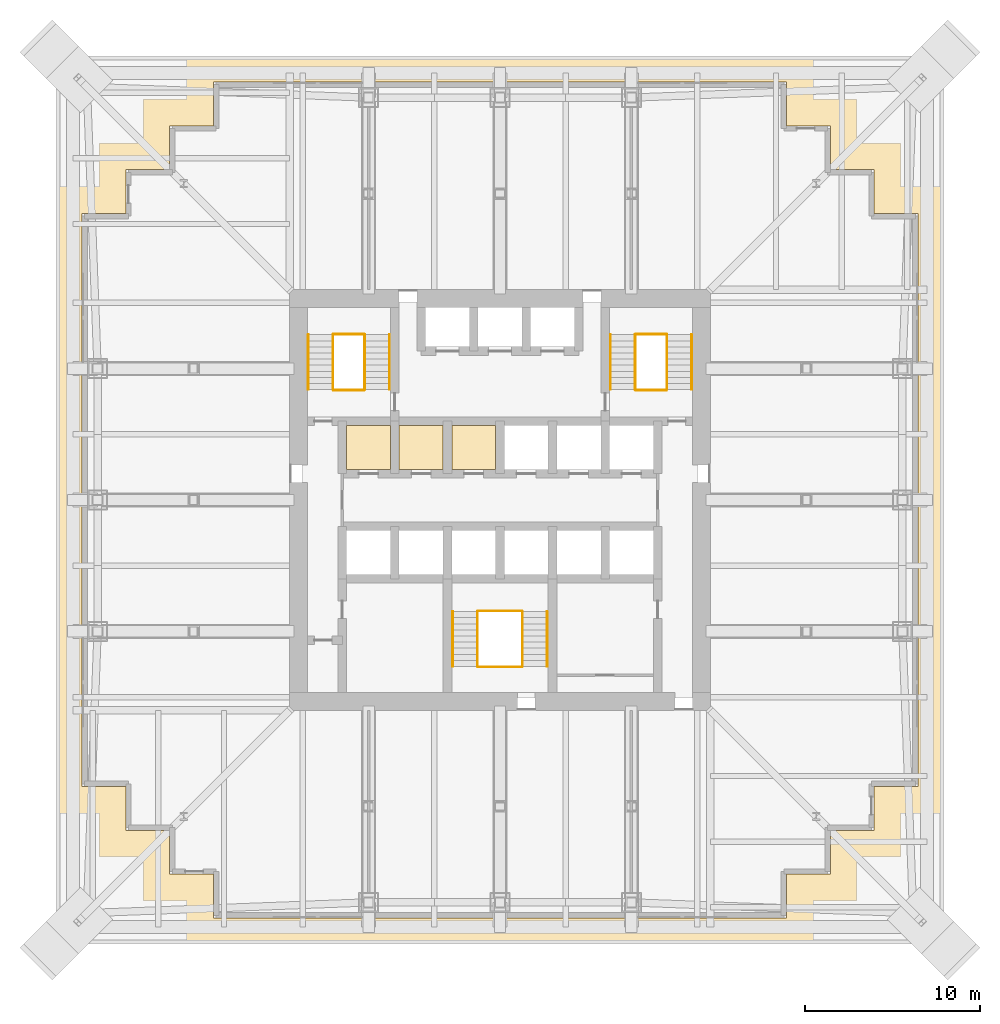
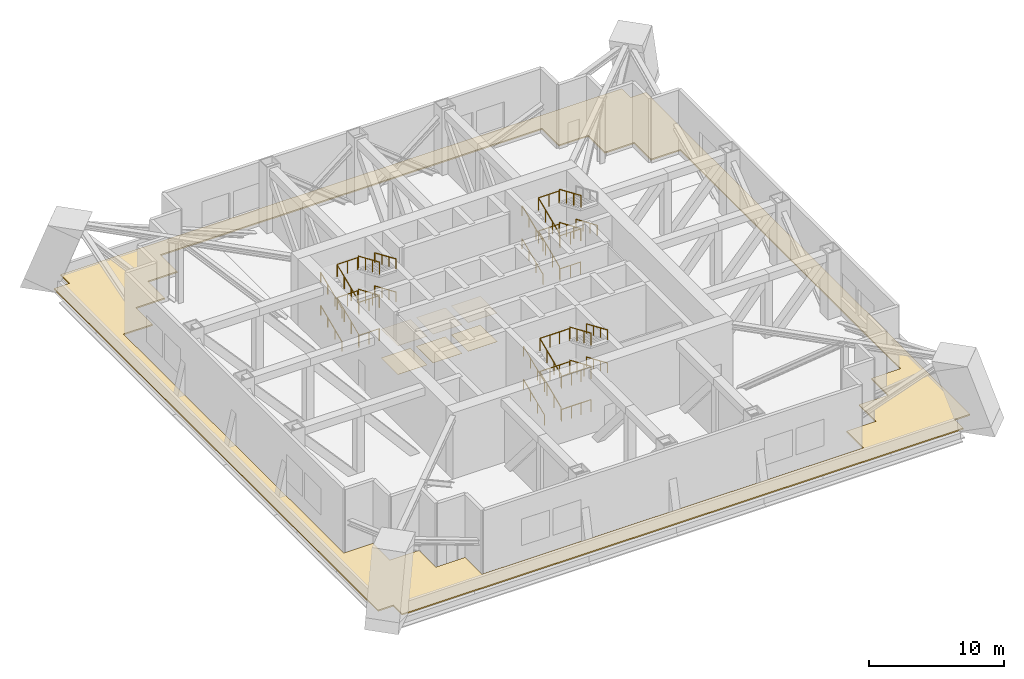
# One storey, part 9 of 10: 35 railings, 7 coverings.
"""IFC4 building model written with IfcOpenShell, lengths in metres."""

from ifc_helpers import new_model, si_unit, direction, frame, origin, origin_2d, place, context, subcontext, project, spatial, polyline, circle, outline, extrude, material, layer, layer_set, type_object, element, save


model = new_model("IFC4")

# Units and contexts
model_context = context("Model", 3, precision=1e-05, world=origin(), true_north=direction((0.0, 1.0)))
body_context = subcontext(model_context, "Body", "Model", "MODEL_VIEW")
ifc_project = project(units=[si_unit("LENGTHUNIT", "METRE"), si_unit("AREAUNIT", "SQUARE_METRE"), si_unit("VOLUMEUNIT", "CUBIC_METRE"), si_unit("PLANEANGLEUNIT", "RADIAN"), si_unit("MASSUNIT", "GRAM", prefix="KILO")], contexts=[model_context])

# Site, building, storey
site_placement = place(None, origin())
site = spatial("IfcSite", under=ifc_project, at=site_placement, CompositionType="ELEMENT")
building_placement = place(site_placement, origin())
building = spatial("IfcBuilding", under=site, at=building_placement, Name="Tarangal Relay Tower", CompositionType="ELEMENT")
storey_placement = place(building_placement, frame((0.0, 0.0, 98.39990234375)))
storey = spatial("IfcBuildingStorey", under=building, at=storey_placement, Name="L19", CompositionType="ELEMENT", Elevation=98.39990234375)

# Coverings
ifc_material_1 = material(Name="Anti-static vinyl flooring", Category="plastic")
ifc_layer_1 = layer(ifc_material_1, 0.010009765625)
ifc_layer_set_1 = layer_set([ifc_layer_1], Name="Anti-static vinyl floor")
covering_type_1 = type_object("IfcCoveringType", Name="Anti-static vinyl floor", PredefinedType="FLOORING", material=ifc_layer_set_1)
covering_1_placement = place(storey_placement, origin())
element("IfcCovering", 1, at=covering_1_placement, inside=storey, type_object=covering_type_1, Name="Floor finish FL1 L19-D1", PredefinedType="FLOORING", context=body_context, shape_type="SweptSolid", body=[
    extrude(outline(polyline([(-8.75, 1.75), (-6.25, 1.75), (-6.25, 4.25), (-8.75, 4.25), (-8.75, 1.75)])), origin(), (0.0, 0.0, 1.0), 0.010009765625),
])
covering_2_placement = place(storey_placement, origin())
element("IfcCovering", 2, at=covering_2_placement, inside=storey, type_object=covering_type_1, Name="Floor finish FL1 L19-D2", PredefinedType="FLOORING", context=body_context, shape_type="SweptSolid", body=[
    extrude(outline(polyline([(-5.75, 1.75), (-3.25, 1.75), (-3.25, 4.25), (-5.75, 4.25), (-5.75, 1.75)])), origin(), (0.0, 0.0, 1.0), 0.010009765625),
])
covering_3_placement = place(storey_placement, origin())
element("IfcCovering", 3, at=covering_3_placement, inside=storey, type_object=covering_type_1, Name="Floor finish FL1 L19-D3", PredefinedType="FLOORING", context=body_context, shape_type="SweptSolid", body=[
    extrude(outline(polyline([(-2.75, 1.75), (-0.25, 1.75), (-0.25, 4.25), (-2.75, 4.25), (-2.75, 1.75)])), origin(), (0.0, 0.0, 1.0), 0.010009765625),
])
ifc_material_2 = material(Name="Bituminous membrane on rigid insulation", Category="plastic")
ifc_layer_2 = layer(ifc_material_2, 0.1201171875)
ifc_layer_set_2 = layer_set([ifc_layer_2], Name="Roof membrane and insulation")
covering_type_2 = type_object("IfcCoveringType", Name="Roof membrane and insulation", PredefinedType="ROOFING", material=ifc_layer_set_2)
covering_4_placement = place(storey_placement, origin())
element("IfcCovering", 4, at=covering_4_placement, inside=storey, type_object=covering_type_2, Name="Ledge roofing RF2 L19", PredefinedType="ROOFING", context=body_context, shape_type="SweptSolid", body=[
    extrude(outline(polyline([(25.35009765625, -24.0400390625), (25.35009765625, 24.0400390625), (24.0400390625, 24.0400390625), (24.0400390625, 25.35009765625), (-24.0400390625, 25.35009765625), (-24.0400390625, 24.0400390625), (-25.35009765625, 24.0400390625), (-25.35009765625, -24.0400390625), (-24.0400390625, -24.0400390625), (-24.0400390625, -25.35009765625), (24.0400390625, -25.35009765625), (24.0400390625, -24.0400390625), (25.35009765625, -24.0400390625)]), holes=[polyline([(-23.85009765625, 16.35009765625), (-23.85009765625, -16.35009765625), (-21.35009765625, -16.35009765625), (-21.35009765625, -18.85009765625), (-18.85009765625, -18.85009765625), (-18.85009765625, -21.35009765625), (-16.35009765625, -21.35009765625), (-16.35009765625, -23.85009765625), (16.35009765625, -23.85009765625), (16.35009765625, -21.35009765625), (18.85009765625, -21.35009765625), (18.85009765625, -18.85009765625), (21.35009765625, -18.85009765625), (21.35009765625, -16.35009765625), (23.85009765625, -16.35009765625), (23.85009765625, 16.35009765625), (21.35009765625, 16.35009765625), (21.35009765625, 18.85009765625), (18.85009765625, 18.85009765625), (18.85009765625, 21.35009765625), (16.35009765625, 21.35009765625), (16.35009765625, 23.85009765625), (-16.35009765625, 23.85009765625), (-16.35009765625, 21.35009765625), (-18.85009765625, 21.35009765625), (-18.85009765625, 18.85009765625), (-21.35009765625, 18.85009765625), (-21.35009765625, 16.35009765625), (-23.85009765625, 16.35009765625)])]), origin(), (0.0, 0.0, 1.0), 0.1201171875),
])

# Railings
ifc_material_3 = material(Name="Steel guard, black finish", Category="steel")
railing_type_1 = type_object("IfcRailingType", Name="Stair guard 1100", PredefinedType="GUARDRAIL", material=ifc_material_3)
railing_1_placement = place(storey_placement, frame((-9.530029296875, 6.300048828125, 0.150146484375)))
element("IfcRailing", 5, at=railing_1_placement, inside=storey, type_object=railing_type_1, Name="Stair ST-A guard GR1 L19 flight 1", PredefinedType="GUARDRAIL", context=body_context, shape_type="SweptSolid", body=[
    extrude(circle(Radius=0.02392578125, at=origin_2d()), frame((0.0, 0.0, 1.076171875), z_axis=(0.0, 0.918332162045, 0.395810611471), x_axis=(-1.0, 0.0, 0.0)), (0.0, 0.0, 1.0), 3.410400390625),
    extrude(circle(Radius=0.02099609375, at=origin_2d()), origin(), (0.0, 0.0, 1.0), 1.052001953125),
    extrude(circle(Radius=0.02099609375, at=origin_2d()), frame((0.0, 1.0439453125, 0.449951171875)), (0.0, 0.0, 1.0), 1.052001953125),
    extrude(circle(Radius=0.02099609375, at=origin_2d()), frame((0.0, 2.087890625, 0.89990234375)), (0.0, 0.0, 1.0), 1.052001953125),
    extrude(circle(Radius=0.02099609375, at=origin_2d()), frame((0.0, 3.1318359375, 1.349853515625)), (0.0, 0.0, 1.0), 1.052001953125),
])
railing_2_placement = place(storey_placement, frame((-7.719970703125, 9.431884765625, 1.650146484375)))
element("IfcRailing", 6, at=railing_2_placement, inside=storey, type_object=railing_type_1, Name="Stair ST-A guard GR1 L19 flight 2", PredefinedType="GUARDRAIL", context=body_context, shape_type="SweptSolid", body=[
    extrude(circle(Radius=0.02392578125, at=origin_2d()), frame((0.0, 0.0, 1.076171875), z_axis=(0.0, -0.918332162045, 0.395810611471), x_axis=(1.0, 0.0, 0.0)), (0.0, 0.0, 1.0), 3.410400390625),
    extrude(circle(Radius=0.02099609375, at=origin_2d()), origin(), (0.0, 0.0, 1.0), 1.052001953125),
    extrude(circle(Radius=0.02099609375, at=origin_2d()), frame((0.0, -1.0439453125, 0.449951171875)), (0.0, 0.0, 1.0), 1.052001953125),
    extrude(circle(Radius=0.02099609375, at=origin_2d()), frame((0.0, -2.087890625, 0.89990234375)), (0.0, 0.0, 1.0), 1.052001953125),
    extrude(circle(Radius=0.02099609375, at=origin_2d()), frame((0.0, -3.1318359375, 1.349853515625)), (0.0, 0.0, 1.0), 1.052001953125),
])
railing_3_placement = place(storey_placement, frame((-9.530029296875, 6.300048828125, 3.150146484375)))
element("IfcRailing", 7, at=railing_3_placement, inside=storey, type_object=railing_type_1, Name="Stair ST-A guard GR1 L19 flight 3", PredefinedType="GUARDRAIL", context=body_context, shape_type="SweptSolid", body=[
    extrude(circle(Radius=0.02392578125, at=origin_2d()), frame((0.0, 0.0, 1.076171875), z_axis=(0.0, 0.918332162045, 0.395810611471), x_axis=(-1.0, 0.0, 0.0)), (0.0, 0.0, 1.0), 3.410400390625),
    extrude(circle(Radius=0.02099609375, at=origin_2d()), origin(), (0.0, 0.0, 1.0), 1.052001953125),
    extrude(circle(Radius=0.02099609375, at=origin_2d()), frame((0.0, 1.0439453125, 0.449951171875)), (0.0, 0.0, 1.0), 1.052001953125),
    extrude(circle(Radius=0.02099609375, at=origin_2d()), frame((0.0, 2.087890625, 0.89990234375)), (0.0, 0.0, 1.0), 1.052001953125),
    extrude(circle(Radius=0.02099609375, at=origin_2d()), frame((0.0, 3.1318359375, 1.349853515625)), (0.0, 0.0, 1.0), 1.052001953125),
])
railing_4_placement = place(storey_placement, frame((-7.719970703125, 9.431884765625, 4.650146484375)))
element("IfcRailing", 8, at=railing_4_placement, inside=storey, type_object=railing_type_1, Name="Stair ST-A guard GR1 L19 flight 4", PredefinedType="GUARDRAIL", context=body_context, shape_type="SweptSolid", body=[
    extrude(circle(Radius=0.02392578125, at=origin_2d()), frame((0.0, 0.0, 1.076171875), z_axis=(0.0, -0.918332162045, 0.395810611471), x_axis=(1.0, 0.0, 0.0)), (0.0, 0.0, 1.0), 3.410400390625),
    extrude(circle(Radius=0.02099609375, at=origin_2d()), origin(), (0.0, 0.0, 1.0), 1.052001953125),
    extrude(circle(Radius=0.02099609375, at=origin_2d()), frame((0.0, -1.0439453125, 0.449951171875)), (0.0, 0.0, 1.0), 1.052001953125),
    extrude(circle(Radius=0.02099609375, at=origin_2d()), frame((0.0, -2.087890625, 0.89990234375)), (0.0, 0.0, 1.0), 1.052001953125),
    extrude(circle(Radius=0.02099609375, at=origin_2d()), frame((0.0, -3.1318359375, 1.349853515625)), (0.0, 0.0, 1.0), 1.052001953125),
])
for number, where, name in (
    (9, (-9.5, 6.27001953125, 0.0), "Stair ST-A landing guard GR1 L19"),
    (10, (-9.5, 9.4619140625, 1.5), "Stair ST-A landing guard GR1 L19"),
    (11, (-9.5, 6.27001953125, 3.0), "Stair ST-A landing guard GR1 L19"),
    (12, (-9.5, 9.4619140625, 4.5), "Stair ST-A landing guard GR1 L19"),
):
    element("IfcRailing", number, at=place(storey_placement, frame(where)), inside=storey, type_object=railing_type_1, Name=name, PredefinedType="GUARDRAIL", context=body_context, shape_type="SweptSolid", body=[
        extrude(circle(Radius=0.02392578125, at=origin_2d()), frame((0.0, 0.0, 1.076171875), z_axis=(1.0, 0.0, 0.0), x_axis=(0.0, 1.0, 0.0)), (0.0, 0.0, 1.0), 1.75),
        extrude(circle(Radius=0.02099609375, at=origin_2d()), origin(), (0.0, 0.0, 1.0), 1.052001953125),
        extrude(circle(Radius=0.02099609375, at=origin_2d()), frame((0.875, 0.0, 0.0)), (0.0, 0.0, 1.0), 1.052001953125),
        extrude(circle(Radius=0.02099609375, at=origin_2d()), frame((1.75, 0.0, 0.0)), (0.0, 0.0, 1.0), 1.052001953125),
    ])
railing_5_placement = place(storey_placement, frame((7.719970703125, 6.300048828125, 0.150146484375)))
element("IfcRailing", 13, at=railing_5_placement, inside=storey, type_object=railing_type_1, Name="Stair ST-B guard GR1 L19 flight 1", PredefinedType="GUARDRAIL", context=body_context, shape_type="SweptSolid", body=[
    extrude(circle(Radius=0.02392578125, at=origin_2d()), frame((0.0, 0.0, 1.076171875), z_axis=(0.0, 0.918332162045, 0.395810611471), x_axis=(-1.0, 0.0, 0.0)), (0.0, 0.0, 1.0), 3.410400390625),
    extrude(circle(Radius=0.02099609375, at=origin_2d()), origin(), (0.0, 0.0, 1.0), 1.052001953125),
    extrude(circle(Radius=0.02099609375, at=origin_2d()), frame((0.0, 1.0439453125, 0.449951171875)), (0.0, 0.0, 1.0), 1.052001953125),
    extrude(circle(Radius=0.02099609375, at=origin_2d()), frame((0.0, 2.087890625, 0.89990234375)), (0.0, 0.0, 1.0), 1.052001953125),
    extrude(circle(Radius=0.02099609375, at=origin_2d()), frame((0.0, 3.1318359375, 1.349853515625)), (0.0, 0.0, 1.0), 1.052001953125),
])
railing_6_placement = place(storey_placement, frame((9.530029296875, 9.431884765625, 1.650146484375)))
element("IfcRailing", 14, at=railing_6_placement, inside=storey, type_object=railing_type_1, Name="Stair ST-B guard GR1 L19 flight 2", PredefinedType="GUARDRAIL", context=body_context, shape_type="SweptSolid", body=[
    extrude(circle(Radius=0.02392578125, at=origin_2d()), frame((0.0, 0.0, 1.076171875), z_axis=(0.0, -0.918332162045, 0.395810611471), x_axis=(1.0, 0.0, 0.0)), (0.0, 0.0, 1.0), 3.410400390625),
    extrude(circle(Radius=0.02099609375, at=origin_2d()), origin(), (0.0, 0.0, 1.0), 1.052001953125),
    extrude(circle(Radius=0.02099609375, at=origin_2d()), frame((0.0, -1.0439453125, 0.449951171875)), (0.0, 0.0, 1.0), 1.052001953125),
    extrude(circle(Radius=0.02099609375, at=origin_2d()), frame((0.0, -2.087890625, 0.89990234375)), (0.0, 0.0, 1.0), 1.052001953125),
    extrude(circle(Radius=0.02099609375, at=origin_2d()), frame((0.0, -3.1318359375, 1.349853515625)), (0.0, 0.0, 1.0), 1.052001953125),
])
railing_7_placement = place(storey_placement, frame((7.719970703125, 6.300048828125, 3.150146484375)))
element("IfcRailing", 15, at=railing_7_placement, inside=storey, type_object=railing_type_1, Name="Stair ST-B guard GR1 L19 flight 3", PredefinedType="GUARDRAIL", context=body_context, shape_type="SweptSolid", body=[
    extrude(circle(Radius=0.02392578125, at=origin_2d()), frame((0.0, 0.0, 1.076171875), z_axis=(0.0, 0.918332162045, 0.395810611471), x_axis=(-1.0, 0.0, 0.0)), (0.0, 0.0, 1.0), 3.410400390625),
    extrude(circle(Radius=0.02099609375, at=origin_2d()), origin(), (0.0, 0.0, 1.0), 1.052001953125),
    extrude(circle(Radius=0.02099609375, at=origin_2d()), frame((0.0, 1.0439453125, 0.449951171875)), (0.0, 0.0, 1.0), 1.052001953125),
    extrude(circle(Radius=0.02099609375, at=origin_2d()), frame((0.0, 2.087890625, 0.89990234375)), (0.0, 0.0, 1.0), 1.052001953125),
    extrude(circle(Radius=0.02099609375, at=origin_2d()), frame((0.0, 3.1318359375, 1.349853515625)), (0.0, 0.0, 1.0), 1.052001953125),
])
railing_8_placement = place(storey_placement, frame((9.530029296875, 9.431884765625, 4.650146484375)))
element("IfcRailing", 16, at=railing_8_placement, inside=storey, type_object=railing_type_1, Name="Stair ST-B guard GR1 L19 flight 4", PredefinedType="GUARDRAIL", context=body_context, shape_type="SweptSolid", body=[
    extrude(circle(Radius=0.02392578125, at=origin_2d()), frame((0.0, 0.0, 1.076171875), z_axis=(0.0, -0.918332162045, 0.395810611471), x_axis=(1.0, 0.0, 0.0)), (0.0, 0.0, 1.0), 3.410400390625),
    extrude(circle(Radius=0.02099609375, at=origin_2d()), origin(), (0.0, 0.0, 1.0), 1.052001953125),
    extrude(circle(Radius=0.02099609375, at=origin_2d()), frame((0.0, -1.0439453125, 0.449951171875)), (0.0, 0.0, 1.0), 1.052001953125),
    extrude(circle(Radius=0.02099609375, at=origin_2d()), frame((0.0, -2.087890625, 0.89990234375)), (0.0, 0.0, 1.0), 1.052001953125),
    extrude(circle(Radius=0.02099609375, at=origin_2d()), frame((0.0, -3.1318359375, 1.349853515625)), (0.0, 0.0, 1.0), 1.052001953125),
])
for number, where, name in (
    (17, (7.75, 6.27001953125, 0.0), "Stair ST-B landing guard GR1 L19"),
    (18, (7.75, 9.4619140625, 1.5), "Stair ST-B landing guard GR1 L19"),
    (19, (7.75, 6.27001953125, 3.0), "Stair ST-B landing guard GR1 L19"),
    (20, (7.75, 9.4619140625, 4.5), "Stair ST-B landing guard GR1 L19"),
):
    element("IfcRailing", number, at=place(storey_placement, frame(where)), inside=storey, type_object=railing_type_1, Name=name, PredefinedType="GUARDRAIL", context=body_context, shape_type="SweptSolid", body=[
        extrude(circle(Radius=0.02392578125, at=origin_2d()), frame((0.0, 0.0, 1.076171875), z_axis=(1.0, 0.0, 0.0), x_axis=(0.0, 1.0, 0.0)), (0.0, 0.0, 1.0), 1.75),
        extrude(circle(Radius=0.02099609375, at=origin_2d()), origin(), (0.0, 0.0, 1.0), 1.052001953125),
        extrude(circle(Radius=0.02099609375, at=origin_2d()), frame((0.875, 0.0, 0.0)), (0.0, 0.0, 1.0), 1.052001953125),
        extrude(circle(Radius=0.02099609375, at=origin_2d()), frame((1.75, 0.0, 0.0)), (0.0, 0.0, 1.0), 1.052001953125),
    ])
railing_9_placement = place(storey_placement, frame((-1.280029296875, -9.5, 0.150146484375)))
element("IfcRailing", 21, at=railing_9_placement, inside=storey, type_object=railing_type_1, Name="Stair ST-C guard GR1 L19 flight 1", PredefinedType="GUARDRAIL", context=body_context, shape_type="SweptSolid", body=[
    extrude(circle(Radius=0.02392578125, at=origin_2d()), frame((0.0, 0.0, 1.076171875), z_axis=(0.0, 0.918343376364, 0.395784591778), x_axis=(-1.0, 0.0, 0.0)), (0.0, 0.0, 1.0), 3.41064453125),
    extrude(circle(Radius=0.02099609375, at=origin_2d()), origin(), (0.0, 0.0, 1.0), 1.052001953125),
    extrude(circle(Radius=0.02099609375, at=origin_2d()), frame((0.0, 1.0439453125, 0.449951171875)), (0.0, 0.0, 1.0), 1.052001953125),
    extrude(circle(Radius=0.02099609375, at=origin_2d()), frame((0.0, 2.088134765625, 0.89990234375)), (0.0, 0.0, 1.0), 1.052001953125),
    extrude(circle(Radius=0.02099609375, at=origin_2d()), frame((0.0, 3.132080078125, 1.349853515625)), (0.0, 0.0, 1.0), 1.052001953125),
])
railing_10_placement = place(storey_placement, frame((1.280029296875, -6.367919921875, 1.650146484375)))
element("IfcRailing", 22, at=railing_10_placement, inside=storey, type_object=railing_type_1, Name="Stair ST-C guard GR1 L19 flight 2", PredefinedType="GUARDRAIL", context=body_context, shape_type="SweptSolid", body=[
    extrude(circle(Radius=0.02392578125, at=origin_2d()), frame((0.0, 0.0, 1.076171875), z_axis=(0.0, -0.918343376364, 0.395784591778), x_axis=(1.0, 0.0, 0.0)), (0.0, 0.0, 1.0), 3.41064453125),
    extrude(circle(Radius=0.02099609375, at=origin_2d()), origin(), (0.0, 0.0, 1.0), 1.052001953125),
    extrude(circle(Radius=0.02099609375, at=origin_2d()), frame((0.0, -1.0439453125, 0.449951171875)), (0.0, 0.0, 1.0), 1.052001953125),
    extrude(circle(Radius=0.02099609375, at=origin_2d()), frame((0.0, -2.088134765625, 0.89990234375)), (0.0, 0.0, 1.0), 1.052001953125),
    extrude(circle(Radius=0.02099609375, at=origin_2d()), frame((0.0, -3.132080078125, 1.349853515625)), (0.0, 0.0, 1.0), 1.052001953125),
])
railing_11_placement = place(storey_placement, frame((-1.280029296875, -9.5, 3.150146484375)))
element("IfcRailing", 23, at=railing_11_placement, inside=storey, type_object=railing_type_1, Name="Stair ST-C guard GR1 L19 flight 3", PredefinedType="GUARDRAIL", context=body_context, shape_type="SweptSolid", body=[
    extrude(circle(Radius=0.02392578125, at=origin_2d()), frame((0.0, 0.0, 1.076171875), z_axis=(0.0, 0.918343376364, 0.395784591778), x_axis=(-1.0, 0.0, 0.0)), (0.0, 0.0, 1.0), 3.41064453125),
    extrude(circle(Radius=0.02099609375, at=origin_2d()), origin(), (0.0, 0.0, 1.0), 1.052001953125),
    extrude(circle(Radius=0.02099609375, at=origin_2d()), frame((0.0, 1.0439453125, 0.449951171875)), (0.0, 0.0, 1.0), 1.052001953125),
    extrude(circle(Radius=0.02099609375, at=origin_2d()), frame((0.0, 2.088134765625, 0.89990234375)), (0.0, 0.0, 1.0), 1.052001953125),
    extrude(circle(Radius=0.02099609375, at=origin_2d()), frame((0.0, 3.132080078125, 1.349853515625)), (0.0, 0.0, 1.0), 1.052001953125),
])
railing_12_placement = place(storey_placement, frame((1.280029296875, -6.367919921875, 4.650146484375)))
element("IfcRailing", 24, at=railing_12_placement, inside=storey, type_object=railing_type_1, Name="Stair ST-C guard GR1 L19 flight 4", PredefinedType="GUARDRAIL", context=body_context, shape_type="SweptSolid", body=[
    extrude(circle(Radius=0.02392578125, at=origin_2d()), frame((0.0, 0.0, 1.076171875), z_axis=(0.0, -0.918343376364, 0.395784591778), x_axis=(1.0, 0.0, 0.0)), (0.0, 0.0, 1.0), 3.41064453125),
    extrude(circle(Radius=0.02099609375, at=origin_2d()), origin(), (0.0, 0.0, 1.0), 1.052001953125),
    extrude(circle(Radius=0.02099609375, at=origin_2d()), frame((0.0, -1.0439453125, 0.449951171875)), (0.0, 0.0, 1.0), 1.052001953125),
    extrude(circle(Radius=0.02099609375, at=origin_2d()), frame((0.0, -2.088134765625, 0.89990234375)), (0.0, 0.0, 1.0), 1.052001953125),
    extrude(circle(Radius=0.02099609375, at=origin_2d()), frame((0.0, -3.132080078125, 1.349853515625)), (0.0, 0.0, 1.0), 1.052001953125),
])
for number, where, name in (
    (25, (-1.25, -9.530029296875, 0.0), "Stair ST-C landing guard GR1 L19"),
    (26, (-1.25, -6.337890625, 1.5), "Stair ST-C landing guard GR1 L19"),
    (27, (-1.25, -9.530029296875, 3.0), "Stair ST-C landing guard GR1 L19"),
    (28, (-1.25, -6.337890625, 4.5), "Stair ST-C landing guard GR1 L19"),
):
    element("IfcRailing", number, at=place(storey_placement, frame(where)), inside=storey, type_object=railing_type_1, Name=name, PredefinedType="GUARDRAIL", context=body_context, shape_type="SweptSolid", body=[
        extrude(circle(Radius=0.02392578125, at=origin_2d()), frame((0.0, 0.0, 1.076171875), z_axis=(1.0, 0.0, 0.0), x_axis=(0.0, 1.0, 0.0)), (0.0, 0.0, 1.0), 2.5),
        extrude(circle(Radius=0.02099609375, at=origin_2d()), origin(), (0.0, 0.0, 1.0), 1.052001953125),
        extrude(circle(Radius=0.02099609375, at=origin_2d()), frame((0.833251953125, 0.0, 0.0)), (0.0, 0.0, 1.0), 1.052001953125),
        extrude(circle(Radius=0.02099609375, at=origin_2d()), frame((1.666748046875, 0.0, 0.0)), (0.0, 0.0, 1.0), 1.052001953125),
        extrude(circle(Radius=0.02099609375, at=origin_2d()), frame((2.5, 0.0, 0.0)), (0.0, 0.0, 1.0), 1.052001953125),
    ])
ifc_material_4 = material(Name="Steel handrail, black finish", Category="steel")
railing_type_2 = type_object("IfcRailingType", Name="Stair handrail 900", PredefinedType="HANDRAIL", material=ifc_material_4)
railing_13_placement = place(storey_placement, frame((-10.93994140625, 6.300048828125, 0.150146484375)))
element("IfcRailing", 29, at=railing_13_placement, inside=storey, type_object=railing_type_2, Name="Stair ST-A handrail HR1 L19 flight 1", PredefinedType="HANDRAIL", context=body_context, shape_type="SweptSolid", body=[
    extrude(circle(Radius=0.02392578125, at=origin_2d()), frame((0.0, 0.0, 0.8759765625), z_axis=(0.0, 0.918332162045, 0.395810611471), x_axis=(-1.0, 0.0, 0.0)), (0.0, 0.0, 1.0), 3.410400390625),
    extrude(circle(Radius=0.02099609375, at=origin_2d()), origin(), (0.0, 0.0, 1.0), 0.851806640625),
    extrude(circle(Radius=0.02099609375, at=origin_2d()), frame((0.0, 1.0439453125, 0.449951171875)), (0.0, 0.0, 1.0), 0.851806640625),
    extrude(circle(Radius=0.02099609375, at=origin_2d()), frame((0.0, 2.087890625, 0.89990234375)), (0.0, 0.0, 1.0), 0.851806640625),
    extrude(circle(Radius=0.02099609375, at=origin_2d()), frame((0.0, 3.1318359375, 1.349853515625)), (0.0, 0.0, 1.0), 0.851806640625),
])
railing_14_placement = place(storey_placement, frame((-6.31005859375, 9.431884765625, 1.650146484375)))
element("IfcRailing", 30, at=railing_14_placement, inside=storey, type_object=railing_type_2, Name="Stair ST-A handrail HR1 L19 flight 2", PredefinedType="HANDRAIL", context=body_context, shape_type="SweptSolid", body=[
    extrude(circle(Radius=0.02392578125, at=origin_2d()), frame((0.0, 0.0, 0.8759765625), z_axis=(0.0, -0.918332162045, 0.395810611471), x_axis=(1.0, 0.0, 0.0)), (0.0, 0.0, 1.0), 3.410400390625),
    extrude(circle(Radius=0.02099609375, at=origin_2d()), origin(), (0.0, 0.0, 1.0), 0.851806640625),
    extrude(circle(Radius=0.02099609375, at=origin_2d()), frame((0.0, -1.0439453125, 0.449951171875)), (0.0, 0.0, 1.0), 0.851806640625),
    extrude(circle(Radius=0.02099609375, at=origin_2d()), frame((0.0, -2.087890625, 0.89990234375)), (0.0, 0.0, 1.0), 0.851806640625),
    extrude(circle(Radius=0.02099609375, at=origin_2d()), frame((0.0, -3.1318359375, 1.349853515625)), (0.0, 0.0, 1.0), 0.851806640625),
])
railing_15_placement = place(storey_placement, frame((-10.93994140625, 6.300048828125, 3.150146484375)))
element("IfcRailing", 31, at=railing_15_placement, inside=storey, type_object=railing_type_2, Name="Stair ST-A handrail HR1 L19 flight 3", PredefinedType="HANDRAIL", context=body_context, shape_type="SweptSolid", body=[
    extrude(circle(Radius=0.02392578125, at=origin_2d()), frame((0.0, 0.0, 0.8759765625), z_axis=(0.0, 0.918332162045, 0.395810611471), x_axis=(-1.0, 0.0, 0.0)), (0.0, 0.0, 1.0), 3.410400390625),
    extrude(circle(Radius=0.02099609375, at=origin_2d()), origin(), (0.0, 0.0, 1.0), 0.851806640625),
    extrude(circle(Radius=0.02099609375, at=origin_2d()), frame((0.0, 1.0439453125, 0.449951171875)), (0.0, 0.0, 1.0), 0.851806640625),
    extrude(circle(Radius=0.02099609375, at=origin_2d()), frame((0.0, 2.087890625, 0.89990234375)), (0.0, 0.0, 1.0), 0.851806640625),
    extrude(circle(Radius=0.02099609375, at=origin_2d()), frame((0.0, 3.1318359375, 1.349853515625)), (0.0, 0.0, 1.0), 0.851806640625),
])
railing_16_placement = place(storey_placement, frame((-6.31005859375, 9.431884765625, 4.650146484375)))
element("IfcRailing", 32, at=railing_16_placement, inside=storey, type_object=railing_type_2, Name="Stair ST-A handrail HR1 L19 flight 4", PredefinedType="HANDRAIL", context=body_context, shape_type="SweptSolid", body=[
    extrude(circle(Radius=0.02392578125, at=origin_2d()), frame((0.0, 0.0, 0.8759765625), z_axis=(0.0, -0.918332162045, 0.395810611471), x_axis=(1.0, 0.0, 0.0)), (0.0, 0.0, 1.0), 3.410400390625),
    extrude(circle(Radius=0.02099609375, at=origin_2d()), origin(), (0.0, 0.0, 1.0), 0.851806640625),
    extrude(circle(Radius=0.02099609375, at=origin_2d()), frame((0.0, -1.0439453125, 0.449951171875)), (0.0, 0.0, 1.0), 0.851806640625),
    extrude(circle(Radius=0.02099609375, at=origin_2d()), frame((0.0, -2.087890625, 0.89990234375)), (0.0, 0.0, 1.0), 0.851806640625),
    extrude(circle(Radius=0.02099609375, at=origin_2d()), frame((0.0, -3.1318359375, 1.349853515625)), (0.0, 0.0, 1.0), 0.851806640625),
])
railing_17_placement = place(storey_placement, frame((6.31005859375, 6.300048828125, 0.150146484375)))
element("IfcRailing", 33, at=railing_17_placement, inside=storey, type_object=railing_type_2, Name="Stair ST-B handrail HR1 L19 flight 1", PredefinedType="HANDRAIL", context=body_context, shape_type="SweptSolid", body=[
    extrude(circle(Radius=0.02392578125, at=origin_2d()), frame((0.0, 0.0, 0.8759765625), z_axis=(0.0, 0.918332162045, 0.395810611471), x_axis=(-1.0, 0.0, 0.0)), (0.0, 0.0, 1.0), 3.410400390625),
    extrude(circle(Radius=0.02099609375, at=origin_2d()), origin(), (0.0, 0.0, 1.0), 0.851806640625),
    extrude(circle(Radius=0.02099609375, at=origin_2d()), frame((0.0, 1.0439453125, 0.449951171875)), (0.0, 0.0, 1.0), 0.851806640625),
    extrude(circle(Radius=0.02099609375, at=origin_2d()), frame((0.0, 2.087890625, 0.89990234375)), (0.0, 0.0, 1.0), 0.851806640625),
    extrude(circle(Radius=0.02099609375, at=origin_2d()), frame((0.0, 3.1318359375, 1.349853515625)), (0.0, 0.0, 1.0), 0.851806640625),
])
railing_18_placement = place(storey_placement, frame((10.93994140625, 9.431884765625, 1.650146484375)))
element("IfcRailing", 34, at=railing_18_placement, inside=storey, type_object=railing_type_2, Name="Stair ST-B handrail HR1 L19 flight 2", PredefinedType="HANDRAIL", context=body_context, shape_type="SweptSolid", body=[
    extrude(circle(Radius=0.02392578125, at=origin_2d()), frame((0.0, 0.0, 0.8759765625), z_axis=(0.0, -0.918332162045, 0.395810611471), x_axis=(1.0, 0.0, 0.0)), (0.0, 0.0, 1.0), 3.410400390625),
    extrude(circle(Radius=0.02099609375, at=origin_2d()), origin(), (0.0, 0.0, 1.0), 0.851806640625),
    extrude(circle(Radius=0.02099609375, at=origin_2d()), frame((0.0, -1.0439453125, 0.449951171875)), (0.0, 0.0, 1.0), 0.851806640625),
    extrude(circle(Radius=0.02099609375, at=origin_2d()), frame((0.0, -2.087890625, 0.89990234375)), (0.0, 0.0, 1.0), 0.851806640625),
    extrude(circle(Radius=0.02099609375, at=origin_2d()), frame((0.0, -3.1318359375, 1.349853515625)), (0.0, 0.0, 1.0), 0.851806640625),
])
railing_19_placement = place(storey_placement, frame((6.31005859375, 6.300048828125, 3.150146484375)))
element("IfcRailing", 35, at=railing_19_placement, inside=storey, type_object=railing_type_2, Name="Stair ST-B handrail HR1 L19 flight 3", PredefinedType="HANDRAIL", context=body_context, shape_type="SweptSolid", body=[
    extrude(circle(Radius=0.02392578125, at=origin_2d()), frame((0.0, 0.0, 0.8759765625), z_axis=(0.0, 0.918332162045, 0.395810611471), x_axis=(-1.0, 0.0, 0.0)), (0.0, 0.0, 1.0), 3.410400390625),
    extrude(circle(Radius=0.02099609375, at=origin_2d()), origin(), (0.0, 0.0, 1.0), 0.851806640625),
    extrude(circle(Radius=0.02099609375, at=origin_2d()), frame((0.0, 1.0439453125, 0.449951171875)), (0.0, 0.0, 1.0), 0.851806640625),
    extrude(circle(Radius=0.02099609375, at=origin_2d()), frame((0.0, 2.087890625, 0.89990234375)), (0.0, 0.0, 1.0), 0.851806640625),
    extrude(circle(Radius=0.02099609375, at=origin_2d()), frame((0.0, 3.1318359375, 1.349853515625)), (0.0, 0.0, 1.0), 0.851806640625),
])
railing_20_placement = place(storey_placement, frame((-2.68994140625, -9.5, 0.150146484375)))
element("IfcRailing", 36, at=railing_20_placement, inside=storey, type_object=railing_type_2, Name="Stair ST-C handrail HR1 L19 flight 1", PredefinedType="HANDRAIL", context=body_context, shape_type="SweptSolid", body=[
    extrude(circle(Radius=0.02392578125, at=origin_2d()), frame((0.0, 0.0, 0.8759765625), z_axis=(0.0, 0.918343376364, 0.395784591778), x_axis=(-1.0, 0.0, 0.0)), (0.0, 0.0, 1.0), 3.41064453125),
    extrude(circle(Radius=0.02099609375, at=origin_2d()), origin(), (0.0, 0.0, 1.0), 0.851806640625),
    extrude(circle(Radius=0.02099609375, at=origin_2d()), frame((0.0, 1.0439453125, 0.449951171875)), (0.0, 0.0, 1.0), 0.851806640625),
    extrude(circle(Radius=0.02099609375, at=origin_2d()), frame((0.0, 2.088134765625, 0.89990234375)), (0.0, 0.0, 1.0), 0.851806640625),
    extrude(circle(Radius=0.02099609375, at=origin_2d()), frame((0.0, 3.132080078125, 1.349853515625)), (0.0, 0.0, 1.0), 0.851806640625),
])
railing_21_placement = place(storey_placement, frame((2.68994140625, -6.367919921875, 1.650146484375)))
element("IfcRailing", 37, at=railing_21_placement, inside=storey, type_object=railing_type_2, Name="Stair ST-C handrail HR1 L19 flight 2", PredefinedType="HANDRAIL", context=body_context, shape_type="SweptSolid", body=[
    extrude(circle(Radius=0.02392578125, at=origin_2d()), frame((0.0, 0.0, 0.8759765625), z_axis=(0.0, -0.918343376364, 0.395784591778), x_axis=(1.0, 0.0, 0.0)), (0.0, 0.0, 1.0), 3.41064453125),
    extrude(circle(Radius=0.02099609375, at=origin_2d()), origin(), (0.0, 0.0, 1.0), 0.851806640625),
    extrude(circle(Radius=0.02099609375, at=origin_2d()), frame((0.0, -1.0439453125, 0.449951171875)), (0.0, 0.0, 1.0), 0.851806640625),
    extrude(circle(Radius=0.02099609375, at=origin_2d()), frame((0.0, -2.088134765625, 0.89990234375)), (0.0, 0.0, 1.0), 0.851806640625),
    extrude(circle(Radius=0.02099609375, at=origin_2d()), frame((0.0, -3.132080078125, 1.349853515625)), (0.0, 0.0, 1.0), 0.851806640625),
])
railing_22_placement = place(storey_placement, frame((-2.68994140625, -9.5, 3.150146484375)))
element("IfcRailing", 38, at=railing_22_placement, inside=storey, type_object=railing_type_2, Name="Stair ST-C handrail HR1 L19 flight 3", PredefinedType="HANDRAIL", context=body_context, shape_type="SweptSolid", body=[
    extrude(circle(Radius=0.02392578125, at=origin_2d()), frame((0.0, 0.0, 0.8759765625), z_axis=(0.0, 0.918343376364, 0.395784591778), x_axis=(-1.0, 0.0, 0.0)), (0.0, 0.0, 1.0), 3.41064453125),
    extrude(circle(Radius=0.02099609375, at=origin_2d()), origin(), (0.0, 0.0, 1.0), 0.851806640625),
    extrude(circle(Radius=0.02099609375, at=origin_2d()), frame((0.0, 1.0439453125, 0.449951171875)), (0.0, 0.0, 1.0), 0.851806640625),
    extrude(circle(Radius=0.02099609375, at=origin_2d()), frame((0.0, 2.088134765625, 0.89990234375)), (0.0, 0.0, 1.0), 0.851806640625),
    extrude(circle(Radius=0.02099609375, at=origin_2d()), frame((0.0, 3.132080078125, 1.349853515625)), (0.0, 0.0, 1.0), 0.851806640625),
])
railing_23_placement = place(storey_placement, frame((2.68994140625, -6.367919921875, 4.650146484375)))
element("IfcRailing", 39, at=railing_23_placement, inside=storey, type_object=railing_type_2, Name="Stair ST-C handrail HR1 L19 flight 4", PredefinedType="HANDRAIL", context=body_context, shape_type="SweptSolid", body=[
    extrude(circle(Radius=0.02392578125, at=origin_2d()), frame((0.0, 0.0, 0.8759765625), z_axis=(0.0, -0.918343376364, 0.395784591778), x_axis=(1.0, 0.0, 0.0)), (0.0, 0.0, 1.0), 3.41064453125),
    extrude(circle(Radius=0.02099609375, at=origin_2d()), origin(), (0.0, 0.0, 1.0), 0.851806640625),
    extrude(circle(Radius=0.02099609375, at=origin_2d()), frame((0.0, -1.0439453125, 0.449951171875)), (0.0, 0.0, 1.0), 0.851806640625),
    extrude(circle(Radius=0.02099609375, at=origin_2d()), frame((0.0, -2.088134765625, 0.89990234375)), (0.0, 0.0, 1.0), 0.851806640625),
    extrude(circle(Radius=0.02099609375, at=origin_2d()), frame((0.0, -3.132080078125, 1.349853515625)), (0.0, 0.0, 1.0), 0.851806640625),
])

# Coverings
ifc_material_5 = material(Name="Mineral fibre ceiling tiles", Category="gypsum")
ifc_layer_3 = layer(ifc_material_5, 0.02001953125)
ifc_layer_set_3 = layer_set([ifc_layer_3], Name="Suspended ceiling")
covering_type_3 = type_object("IfcCoveringType", Name="Suspended ceiling", PredefinedType="CEILING", material=ifc_layer_set_3)
covering_5_placement = place(storey_placement, frame((0.0, 0.0, 2.60009765625)))
element("IfcCovering", 40, at=covering_5_placement, inside=storey, type_object=covering_type_3, Name="Suspended ceiling CL1 L19-D1", PredefinedType="CEILING", context=body_context, shape_type="SweptSolid", body=[
    extrude(outline(polyline([(-8.75, 1.75), (-6.25, 1.75), (-6.25, 4.25), (-8.75, 4.25), (-8.75, 1.75)])), origin(), (0.0, 0.0, 1.0), 0.02001953125),
])
covering_6_placement = place(storey_placement, frame((0.0, 0.0, 2.60009765625)))
element("IfcCovering", 41, at=covering_6_placement, inside=storey, type_object=covering_type_3, Name="Suspended ceiling CL1 L19-D2", PredefinedType="CEILING", context=body_context, shape_type="SweptSolid", body=[
    extrude(outline(polyline([(-5.75, 1.75), (-3.25, 1.75), (-3.25, 4.25), (-5.75, 4.25), (-5.75, 1.75)])), origin(), (0.0, 0.0, 1.0), 0.02001953125),
])
covering_7_placement = place(storey_placement, frame((0.0, 0.0, 2.60009765625)))
element("IfcCovering", 42, at=covering_7_placement, inside=storey, type_object=covering_type_3, Name="Suspended ceiling CL1 L19-D3", PredefinedType="CEILING", context=body_context, shape_type="SweptSolid", body=[
    extrude(outline(polyline([(-2.75, 1.75), (-0.25, 1.75), (-0.25, 4.25), (-2.75, 4.25), (-2.75, 1.75)])), origin(), (0.0, 0.0, 1.0), 0.02001953125),
])

save(model, "model.ifc")
